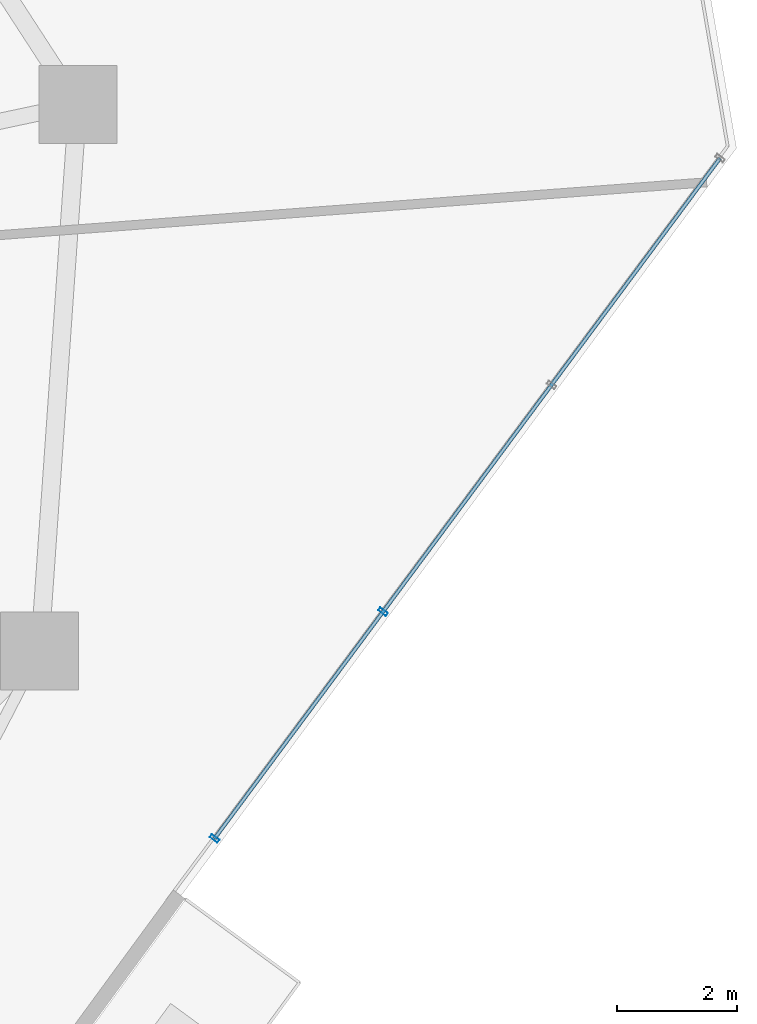
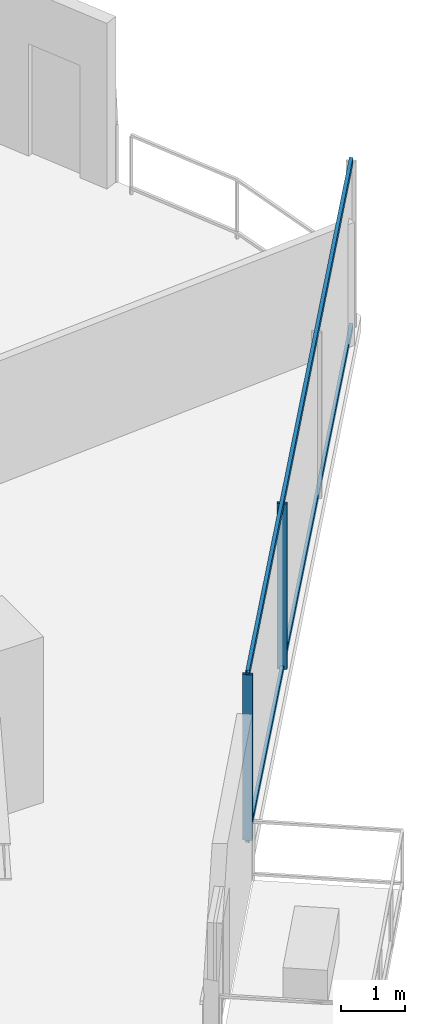
# One storey, part 11 of 28: 4 members, 1 element without a shape of its own.
"""IFC4 building model written with IfcOpenShell, lengths in metres."""

from ifc_helpers import new_model, si_unit, direction, frame, origin, origin_2d, place, context, subcontext, project, spatial, hollow_rectangle, extrude, material, layer, layer_set, material_profile, profile_set, type_object, element, aggregate, save


model = new_model("IFC4")

# Units and contexts
model_context = context("Model", 3, precision=1e-05, world=origin(), true_north=direction((0.0, 1.0)))
body_context = subcontext(model_context, "Body", "Model", "MODEL_VIEW")
ifc_project = project(units=[si_unit("LENGTHUNIT", "METRE"), si_unit("AREAUNIT", "SQUARE_METRE"), si_unit("VOLUMEUNIT", "CUBIC_METRE"), si_unit("PLANEANGLEUNIT", "RADIAN"), si_unit("MASSUNIT", "GRAM", prefix="KILO")], contexts=[model_context])

# Site, building, storey
site_placement = place(None, origin())
site = spatial("IfcSite", under=ifc_project, at=site_placement, CompositionType="ELEMENT")
building_placement = place(site_placement, origin())
building = spatial("IfcBuilding", under=site, at=building_placement, Name="Qarnah Convention Tower", CompositionType="ELEMENT")
storey_placement = place(building_placement, frame((0.0, 0.0, 44.25)))
storey = spatial("IfcBuildingStorey", under=building, at=storey_placement, Name="L10", CompositionType="ELEMENT", Elevation=44.25)

# Curtain wall, members
ifc_material_1 = material(Name="Tempered Low-E dark glass", Category="glass")
ifc_layer = layer(ifc_material_1, 0.16796875)
ifc_layer_set = layer_set([ifc_layer], Name="Tempered Low-E dark glass")
curtain_wall_type = type_object("IfcCurtainWallType", Name="CWS-01", PredefinedType="NOTDEFINED", material=ifc_layer_set)
curtain_wall_placement = place(storey_placement, origin())
curtain_wall = element("IfcCurtainWall", 1, at=curtain_wall_placement, inside=storey, type_object=curtain_wall_type, Name="L10 unitised curtain wall CW-L10-F3", PredefinedType="NOTDEFINED")
ifc_material_2 = material(Name="Black anodised aluminium", Category="aluminium")
ifc_material_profile_1 = material_profile(ifc_material_2, hollow_rectangle(XDim=0.06005859375, YDim=0.159912109375, WallThickness=0.00390625, at=origin_2d()), Name="MUL-60X160")
ifc_profile_set_1 = profile_set([ifc_material_profile_1], Name="Black anodised aluminium")
member_type_1 = type_object("IfcMemberType", Name="MUL-T1", PredefinedType="MULLION", material=ifc_profile_set_1)
member_1_placement = place(storey_placement, frame((58.47412109375, 21.392333984375, 0.0), z_axis=(0.0, 0.0, 1.0), x_axis=(-0.596356591949, -0.80271963676, 0.0)))
member_1 = element("IfcMember", 2, at=member_1_placement, type_object=member_type_1, Name="CW-L10-F3 mullion 3", PredefinedType="MULLION", context=body_context, shape_type="SweptSolid", body=[
    extrude(hollow_rectangle(XDim=0.06005859375, YDim=0.159912109375, WallThickness=0.00390625, at=origin_2d()), origin(), (0.0, 0.0, 1.0), 3.169921875),
])
member_2_placement = place(storey_placement, frame((55.6669921875, 17.614013671875, 0.0), z_axis=(0.0, 0.0, 1.0), x_axis=(-0.596356591949, -0.80271963676, 0.0)))
member_2 = element("IfcMember", 3, at=member_2_placement, type_object=member_type_1, Name="CW-L10-F3 mullion 4", PredefinedType="MULLION", context=body_context, shape_type="SweptSolid", body=[
    extrude(hollow_rectangle(XDim=0.06005859375, YDim=0.159912109375, WallThickness=0.00390625, at=origin_2d()), origin(), (0.0, 0.0, 1.0), 3.169921875),
])
ifc_material_profile_2 = material_profile(ifc_material_2, hollow_rectangle(XDim=0.06005859375, YDim=0.1298828125, WallThickness=0.00390625, at=origin_2d()), Name="TRN-60X130")
ifc_profile_set_2 = profile_set([ifc_material_profile_2], Name="Black anodised aluminium")
member_type_2 = type_object("IfcMemberType", Name="TRN-T1", PredefinedType="USERDEFINED", material=ifc_profile_set_2)
member_3_placement = place(storey_placement, frame((64.087890625, 28.948974609375, 0.0), z_axis=(-0.596353286869, -0.802722092159, 0.0), x_axis=(0.802722092159, -0.596353286869, 0.0)))
member_3 = element("IfcMember", 4, at=member_3_placement, type_object=member_type_2, Name="CW-L10-F3 transom 1", ObjectType="TRANSOM", PredefinedType="USERDEFINED", context=body_context, shape_type="SweptSolid", body=[
    extrude(hollow_rectangle(XDim=0.06005859375, YDim=0.1298828125, WallThickness=0.00390625, at=origin_2d()), origin(), (0.0, 0.0, 1.0), 14.12060546875),
])
member_4_placement = place(storey_placement, frame((64.087890625, 28.948974609375, 3.169921875), z_axis=(-0.596353286869, -0.802722092159, 0.0), x_axis=(0.802722092159, -0.596353286869, 0.0)))
member_4 = element("IfcMember", 5, at=member_4_placement, type_object=member_type_2, Name="CW-L10-F3 transom 2", ObjectType="TRANSOM", PredefinedType="USERDEFINED", context=body_context, shape_type="SweptSolid", body=[
    extrude(hollow_rectangle(XDim=0.06005859375, YDim=0.1298828125, WallThickness=0.00390625, at=origin_2d()), origin(), (0.0, 0.0, 1.0), 14.12060546875),
])
aggregate(curtain_wall, [member_1, member_2, member_3, member_4])

save(model, "model.ifc")
